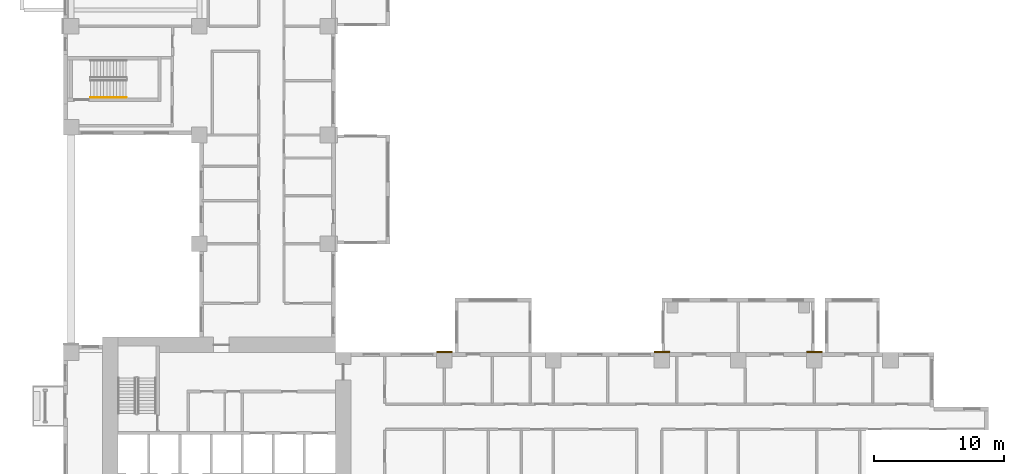
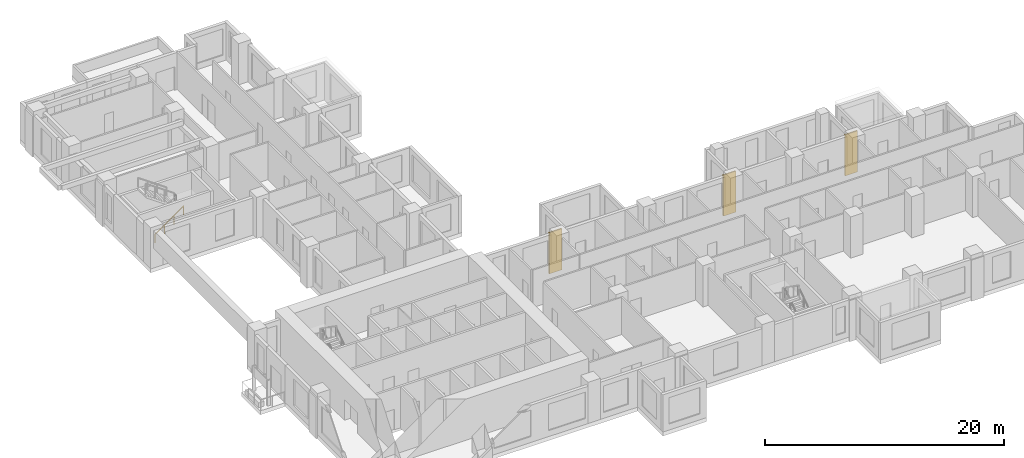
# One storey, part 13 of 14: 3 coverings, 1 railing.
"""IFC4 building model written with IfcOpenShell, lengths in metres."""

from ifc_helpers import new_model, si_unit, direction, frame, origin, origin_2d, place, context, subcontext, project, spatial, rectangle, circle, extrude, source, transform, mapped, material, type_object, element, save


model = new_model("IFC4")

# Units and contexts
model_context = context("Model", 3, precision=1e-05, world=origin(), true_north=direction((0.0, 1.0)))
body_context = subcontext(model_context, "Body", "Model", "MODEL_VIEW")
ifc_project = project(units=[si_unit("LENGTHUNIT", "METRE"), si_unit("AREAUNIT", "SQUARE_METRE"), si_unit("VOLUMEUNIT", "CUBIC_METRE"), si_unit("PLANEANGLEUNIT", "RADIAN"), si_unit("MASSUNIT", "GRAM", prefix="KILO")], contexts=[model_context])

# Site, building, storey
site_placement = place(None, origin())
site = spatial("IfcSite", under=ifc_project, at=site_placement, CompositionType="ELEMENT")
building_placement = place(site_placement, origin())
building = spatial("IfcBuilding", under=site, at=building_placement, Name="Aurelian Terraces", CompositionType="ELEMENT")
storey_placement = place(building_placement, frame((0.0, 0.0, 78.3)))
storey = spatial("IfcBuildingStorey", under=building, at=storey_placement, Name="L16", CompositionType="ELEMENT", Elevation=78.3)

# Coverings
ifc_material_1 = material(Name="Terracotta rainscreen cladding relief", Category="masonry")
covering_type = type_object("IfcCoveringType", Name="BAGUETTE-TC", PredefinedType="CLADDING", material=ifc_material_1)
shared_shape_1 = source(origin(), body_context, "Body", "SweptSolid", [
    extrude(rectangle(XDim=1.2, YDim=0.12, at=origin_2d()), origin(), (0.0, 0.0, 1.0), 4.2),
])
for number, where, z_axis, x_axis, name in (
    (1, (29.4, 21.06, -0.4), (0.0, 0.0, 1.0), (1.0, 0.0, 0.0), "BAGUETTE pier L16 6"),
    (2, (46.2, 21.06, -0.4), (0.0, 0.0, 1.0), (1.0, 0.0, 0.0), "BAGUETTE pier L16 7"),
    (3, (57.96, 21.06, -0.4), (0.0, 0.0, 1.0), (1.0, 0.0, 0.0), "BAGUETTE pier L16 8"),
):
    element("IfcCovering", number, at=place(storey_placement, frame(where, z_axis=z_axis, x_axis=x_axis)), inside=storey, type_object=covering_type, Name=name, PredefinedType="CLADDING", context=body_context, shape_type="MappedRepresentation", body=[
        mapped(shared_shape_1, transform((0.0, 0.0, 0.0), scale=1.0)),
    ])

# Railing
ifc_material_2 = material(Name="Stainless steel", Category="steel")
railing_type = type_object("IfcRailingType", Name="Stair handrail", PredefinedType="HANDRAIL", material=ifc_material_2)
shared_shape_2 = source(origin(), body_context, "Body", "SweptSolid", [
    extrude(circle(Radius=0.024, at=origin_2d()), frame((0.0, 0.0, 0.876), z_axis=(0.819231920519, 0.0, 0.573462344363), x_axis=(0.0, 1.0, 0.0)), (0.0, 0.0, 1.0), 3.3568),
    extrude(circle(Radius=0.021, at=origin_2d()), origin(), (0.0, 0.0, 1.0), 0.852),
    extrude(circle(Radius=0.021, at=origin_2d()), frame((0.9167, 0.0, 0.6417)), (0.0, 0.0, 1.0), 0.852),
    extrude(circle(Radius=0.021, at=origin_2d()), frame((1.8333, 0.0, 1.2833)), (0.0, 0.0, 1.0), 0.852),
    extrude(circle(Radius=0.021, at=origin_2d()), frame((2.75, 0.0, 1.925)), (0.0, 0.0, 1.0), 0.852),
])
railing_placement = place(storey_placement, frame((2.1, 40.7, 0.175)))
element("IfcRailing", 4, at=railing_placement, inside=storey, type_object=railing_type, Name="L16 S3 stair handrail 1", PredefinedType="HANDRAIL", context=body_context, shape_type="MappedRepresentation", body=[
    mapped(shared_shape_2, transform((0.0, 0.0, 0.0), scale=1.0)),
])

save(model, "model.ifc")
